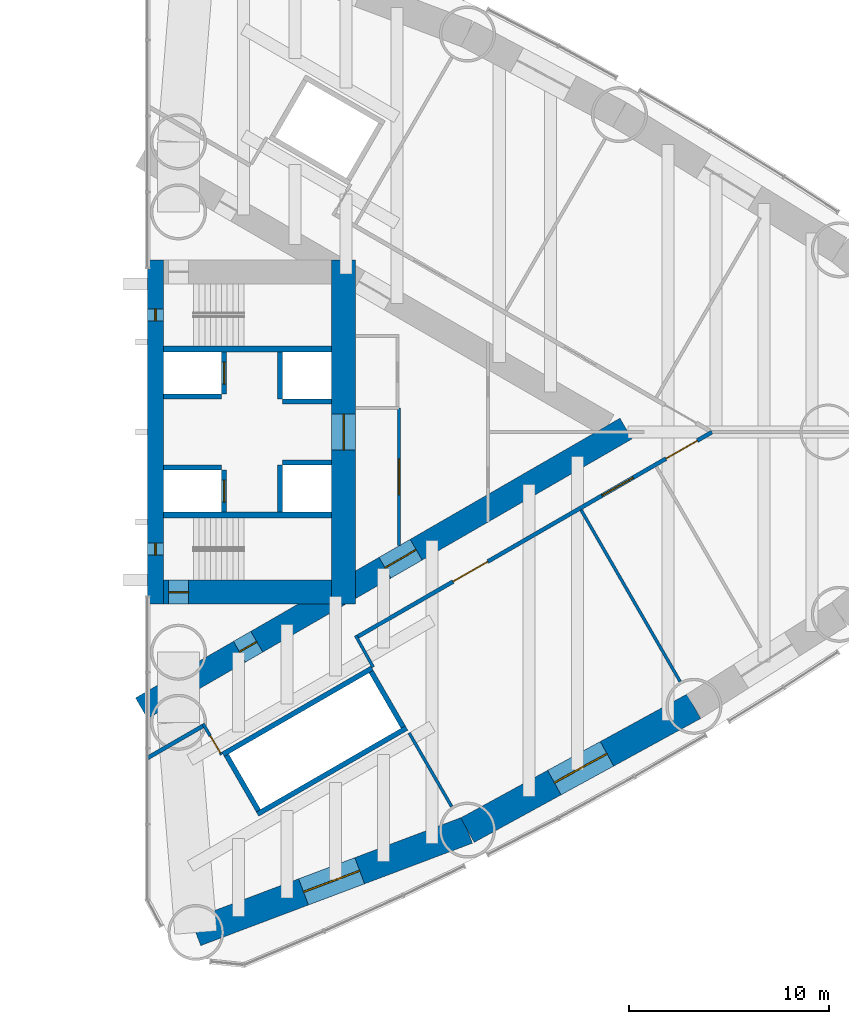
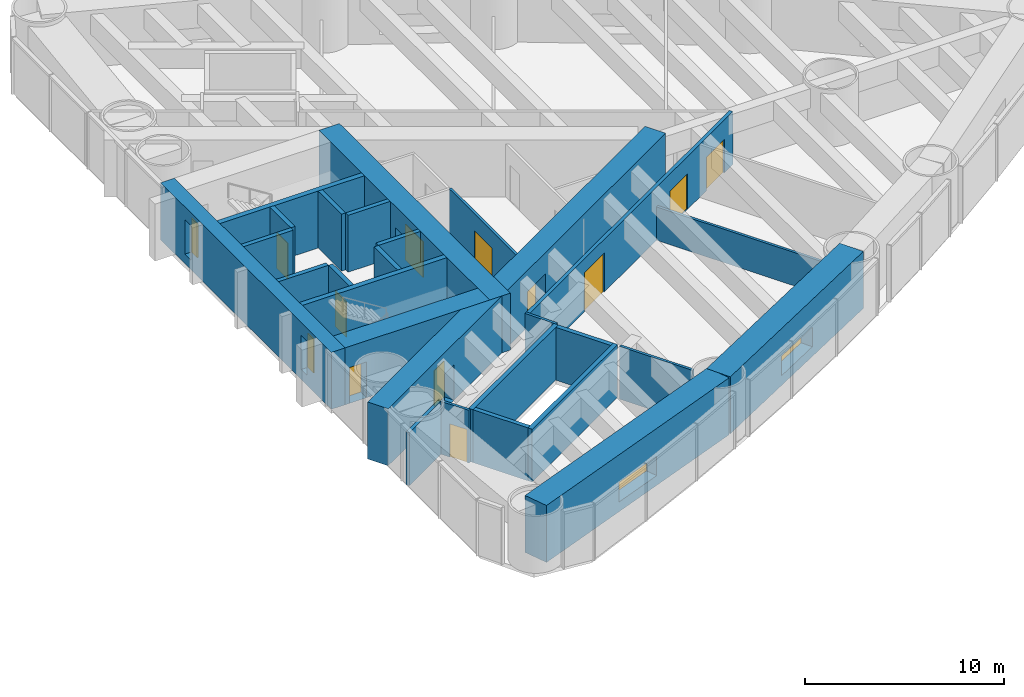
# One storey, part 17 of 20: 27 walls, 11 doors, 4 windows, 15 openings.
"""IFC4 building model written with IfcOpenShell, lengths in metres."""

from ifc_helpers import new_model, si_unit, direction, frame, frame_2d, origin, place, context, subcontext, project, spatial, rectangle, extrude, material, layer, layer_set, type_object, element, fill, save


model = new_model("IFC4")

# Units and contexts
model_context = context("Model", 3, precision=1e-05, world=origin(), true_north=direction((0.0, 1.0)))
body_context = subcontext(model_context, "Body", "Model", "MODEL_VIEW")
ifc_project = project(units=[si_unit("LENGTHUNIT", "METRE"), si_unit("AREAUNIT", "SQUARE_METRE"), si_unit("VOLUMEUNIT", "CUBIC_METRE"), si_unit("PLANEANGLEUNIT", "RADIAN"), si_unit("MASSUNIT", "GRAM", prefix="KILO")], contexts=[model_context])

# Site, building, storey
site_placement = place(None, origin())
site = spatial("IfcSite", under=ifc_project, at=site_placement, CompositionType="ELEMENT")
building_placement = place(site_placement, origin())
building = spatial("IfcBuilding", under=site, at=building_placement, Name="Lancet Gate Hotel", CompositionType="ELEMENT")
storey_placement = place(building_placement, frame((0.0, 0.0, 77.5)))
storey = spatial("IfcBuildingStorey", under=building, at=storey_placement, Name="L20", CompositionType="ELEMENT", Elevation=77.5)

# Wall, opening, window
ifc_material_1 = material(Name="Concrete C80/95", Category="concrete")
ifc_layer_1 = layer(ifc_material_1, 1.39990234375)
ifc_layer_set_1 = layer_set([ifc_layer_1], Name="Belt wall 1400")
wall_type_1 = type_object("IfcWallType", Name="Belt wall 1400", PredefinedType="SHEAR", material=ifc_layer_set_1)
wall_1_placement = place(storey_placement, frame((29.9111328125, -25.00244140625, 0.0), z_axis=(0.0, 0.0, 1.0), x_axis=(0.935736448066, 0.352700013836, 0.0)))
wall_1 = element("IfcWall", 1, at=wall_1_placement, inside=storey, type_object=wall_type_1, Name="T2 belt wall CS-OS1 L20", PredefinedType="SHEAR", context=body_context, shape_type="SweptSolid", body=[
    extrude(rectangle(XDim=14.505126953125, YDim=1.39990234375, at=frame_2d((7.25244140625, 0.0))), origin(), (0.0, 0.0, 1.0), 3.5),
])
opening_1_placement = place(wall_1_placement, frame((5.75244140625, 0.0, 0.60009765625)))
opening_1 = element("IfcOpeningElement", 2, at=opening_1_placement, cuts=wall_1, Name="Opening LV1", PredefinedType="OPENING", context=body_context, shape_type="SweptSolid", body=[
    extrude(rectangle(XDim=3.0, YDim=1.199951171875, at=frame_2d((1.5, 0.60009765625))), frame((0.0, 0.7099609375, 0.0), z_axis=(0.0, -1.0, 0.0), x_axis=(1.0, 0.0, 0.0)), (0.0, 0.0, 1.0), 1.419921875),
])
ifc_material_2 = material(Name="Aluminium weather louvre", Category="aluminium")
window_type_1 = type_object("IfcWindowType", Name="Refuge louvre 3000x1200", PartitioningType="SINGLE_PANEL", PredefinedType="WINDOW", material=ifc_material_2)
window_1_placement = place(opening_1_placement, origin())
window_1 = element("IfcWindow", 3, at=window_1_placement, inside=storey, type_object=window_type_1, Name="T2 belt louvre CS-OS1 L20", OverallHeight=1.199951171875, OverallWidth=3.0, PartitioningType="SINGLE_PANEL", PredefinedType="WINDOW", context=body_context, shape_type="SweptSolid", body=[
    extrude(rectangle(XDim=3.0, YDim=1.199951171875, at=frame_2d((1.5, 0.60009765625))), frame((0.0, 0.030029296875, 0.0), z_axis=(0.0, -1.0, 0.0), x_axis=(1.0, 0.0, 0.0)), (0.0, 0.0, 1.0), 0.06005859375),
])
fill(opening_1, window_1)

wall_2_placement = place(storey_placement, frame((43.484130859375, -19.886474609375, 0.0), z_axis=(0.0, 0.0, 1.0), x_axis=(0.87736889738, 0.479816441893, 0.0)))
wall_2 = element("IfcWall", 4, at=wall_2_placement, inside=storey, type_object=wall_type_1, Name="T2 belt wall OS1-OS2 L20", PredefinedType="SHEAR", context=body_context, shape_type="SweptSolid", body=[
    extrude(rectangle(XDim=12.89208984375, YDim=1.39990234375, at=frame_2d((6.446044921875, 0.0))), origin(), (0.0, 0.0, 1.0), 3.5),
])
opening_2_placement = place(wall_2_placement, frame((4.946044921875, 0.0, 0.60009765625)))
opening_2 = element("IfcOpeningElement", 5, at=opening_2_placement, cuts=wall_2, Name="Opening LV1", PredefinedType="OPENING", context=body_context, shape_type="SweptSolid", body=[
    extrude(rectangle(XDim=3.0, YDim=1.199951171875, at=frame_2d((1.5, 0.60009765625))), frame((0.0, 0.7099609375, 0.0), z_axis=(0.0, -1.0, 0.0), x_axis=(1.0, 0.0, 0.0)), (0.0, 0.0, 1.0), 1.419921875),
])
window_2_placement = place(opening_2_placement, origin())
window_2 = element("IfcWindow", 6, at=window_2_placement, inside=storey, type_object=window_type_1, Name="T2 belt louvre OS1-OS2 L20", OverallHeight=1.199951171875, OverallWidth=3.0, PartitioningType="SINGLE_PANEL", PredefinedType="WINDOW", context=body_context, shape_type="SweptSolid", body=[
    extrude(rectangle(XDim=3.0, YDim=1.199951171875, at=frame_2d((1.5, 0.60009765625))), frame((0.0, 0.030029296875, 0.0), z_axis=(0.0, -1.0, 0.0), x_axis=(1.0, 0.0, 0.0)), (0.0, 0.0, 1.0), 0.06005859375),
])
fill(opening_2, window_2)

# Wall, openings, doors
ifc_material_3 = material(Name="Concrete C70/85", Category="concrete")
ifc_layer_2 = layer(ifc_material_3, 1.199951171875)
ifc_layer_set_2 = layer_set([ifc_layer_2], Name="Buttress wall 1200")
wall_type_2 = type_object("IfcWallType", Name="Buttress wall 1200", PredefinedType="SHEAR", material=ifc_layer_set_2)
wall_3_placement = place(storey_placement, frame((27.199951171875, -13.800048828125, 0.0), z_axis=(0.0, 0.0, 1.0), x_axis=(0.866027159892, 0.499996958321, 0.0)))
wall_3 = element("IfcWall", 7, at=wall_3_placement, inside=storey, type_object=wall_type_2, Name="T2 buttress wall S L20", PredefinedType="SHEAR", context=body_context, shape_type="SweptSolid", body=[
    extrude(rectangle(XDim=27.946533203125, YDim=1.199951171875, at=frame_2d((13.97314453125, 0.0))), origin(), (0.0, 0.0, 1.0), 3.5),
])
opening_3_placement = place(wall_3_placement, frame((5.64990234375, 0.0, 0.0)))
opening_3 = element("IfcOpeningElement", 8, at=opening_3_placement, cuts=wall_3, Name="Opening T2-L20-LS", PredefinedType="OPENING", context=body_context, shape_type="SweptSolid", body=[
    extrude(rectangle(XDim=1.0, YDim=2.199951171875, at=frame_2d((0.5, 1.10009765625))), frame((0.0, 0.60986328125, 0.0), z_axis=(0.0, -1.0, 0.0), x_axis=(1.0, 0.0, 0.0)), (0.0, 0.0, 1.0), 1.219970703125),
])
opening_4_placement = place(wall_3_placement, frame((14.044921875, 0.0, 0.0)))
opening_4 = element("IfcOpeningElement", 9, at=opening_4_placement, cuts=wall_3, Name="Opening T2-L20-LHS", PredefinedType="OPENING", context=body_context, shape_type="SweptSolid", body=[
    extrude(rectangle(XDim=1.800048828125, YDim=2.199951171875, at=frame_2d((0.89990234375, 1.10009765625))), frame((0.0, 0.60986328125, 0.0), z_axis=(0.0, -1.0, 0.0), x_axis=(1.0, 0.0, 0.0)), (0.0, 0.0, 1.0), 1.219970703125),
])
ifc_material_4 = material(Name="Timber door set", Category="wood")
door_type_1 = type_object("IfcDoorType", Name="Lobby double door 1800", OperationType="DOUBLE_DOOR_SINGLE_SWING", PredefinedType="DOOR", material=ifc_material_4)
door_1_placement = place(opening_4_placement, origin())
door_1 = element("IfcDoor", 10, at=door_1_placement, inside=storey, type_object=door_type_1, Name="T2-L20-LHS", OperationType="DOUBLE_DOOR_SINGLE_SWING", OverallHeight=2.199951171875, OverallWidth=1.800048828125, PredefinedType="DOOR", context=body_context, shape_type="SweptSolid", body=[
    extrude(rectangle(XDim=1.800048828125, YDim=2.199951171875, at=frame_2d((0.89990234375, 1.10009765625))), frame((0.0, 0.02490234375, 0.0), z_axis=(0.0, -1.0, 0.0), x_axis=(1.0, 0.0, 0.0)), (0.0, 0.0, 1.0), 0.050048828125),
])
fill(opening_4, door_1)
ifc_material_5 = material(Name="Timber door set", Category="wood")
door_type_2 = type_object("IfcDoorType", Name="Stair lobby door 1000", OperationType="SINGLE_SWING_LEFT", PredefinedType="DOOR", material=ifc_material_5)
door_2_placement = place(opening_3_placement, origin())
door_2 = element("IfcDoor", 11, at=door_2_placement, inside=storey, type_object=door_type_2, Name="T2-L20-LS", OperationType="SINGLE_SWING_LEFT", OverallHeight=2.199951171875, OverallWidth=1.0, PredefinedType="DOOR", context=body_context, shape_type="SweptSolid", body=[
    extrude(rectangle(XDim=1.0, YDim=2.199951171875, at=frame_2d((0.5, 1.10009765625))), frame((0.0, 0.02490234375, 0.0), z_axis=(0.0, -1.0, 0.0), x_axis=(1.0, 0.0, 0.0)), (0.0, 0.0, 1.0), 0.050048828125),
])
fill(opening_3, door_2)

# Wall, opening, door
ifc_material_6 = material(Name="Concrete C70/85", Category="concrete")
ifc_layer_3 = layer(ifc_material_6, 1.199951171875)
ifc_layer_set_3 = layer_set([ifc_layer_3], Name="Core wall 1200")
wall_type_3 = type_object("IfcWallType", Name="Core wall 1200", PredefinedType="SHEAR", material=ifc_layer_set_3)
wall_4_placement = place(storey_placement, frame((37.300048828125, -8.60009765625, 0.0), z_axis=(0.0, 0.0, 1.0), x_axis=(0.0, 1.0, 0.0)))
wall_4 = element("IfcWall", 12, at=wall_4_placement, inside=storey, type_object=wall_type_3, Name="T2 core wall back L20", PredefinedType="SHEAR", context=body_context, shape_type="SweptSolid", body=[
    extrude(rectangle(XDim=17.2001953125, YDim=1.199951171875, at=frame_2d((8.60009765625, 0.0))), origin(), (0.0, 0.0, 1.0), 3.5),
])
opening_5_placement = place(wall_4_placement, frame((7.699951171875, 0.0, 0.0)))
opening_5 = element("IfcOpeningElement", 13, at=opening_5_placement, cuts=wall_4, Name="Opening T2-L20-LL", PredefinedType="OPENING", context=body_context, shape_type="SweptSolid", body=[
    extrude(rectangle(XDim=1.800048828125, YDim=2.199951171875, at=frame_2d((0.89990234375, 1.10009765625))), frame((0.0, 0.60986328125, 0.0), z_axis=(0.0, -1.0, 0.0), x_axis=(1.0, 0.0, 0.0)), (0.0, 0.0, 1.0), 1.219970703125),
])
door_3_placement = place(opening_5_placement, origin())
door_3 = element("IfcDoor", 14, at=door_3_placement, inside=storey, type_object=door_type_1, Name="T2-L20-LL", OperationType="DOUBLE_DOOR_SINGLE_SWING", OverallHeight=2.199951171875, OverallWidth=1.800048828125, PredefinedType="DOOR", context=body_context, shape_type="SweptSolid", body=[
    extrude(rectangle(XDim=1.800048828125, YDim=2.199951171875, at=frame_2d((0.89990234375, 1.10009765625))), frame((0.0, 0.02490234375, 0.0), z_axis=(0.0, -1.0, 0.0), x_axis=(1.0, 0.0, 0.0)), (0.0, 0.0, 1.0), 0.050048828125),
])
fill(opening_5, door_3)

wall_5_placement = place(storey_placement, frame((28.300048828125, -8.0, 0.0), z_axis=(0.0, 0.0, 1.0), x_axis=(1.0, 0.0, 0.0)))
wall_5 = element("IfcWall", 15, at=wall_5_placement, inside=storey, type_object=wall_type_3, Name="T2 core wall side-S L20", PredefinedType="SHEAR", context=body_context, shape_type="SweptSolid", body=[
    extrude(rectangle(XDim=8.39990234375, YDim=1.199951171875, at=frame_2d((4.199951171875, 0.0))), origin(), (0.0, 0.0, 1.0), 3.5),
])
opening_6_placement = place(wall_5_placement, frame((0.25, 0.0, 0.0)))
opening_6 = element("IfcOpeningElement", 16, at=opening_6_placement, cuts=wall_5, Name="Opening T2-L20-ST1", PredefinedType="OPENING", context=body_context, shape_type="SweptSolid", body=[
    extrude(rectangle(XDim=1.0, YDim=2.199951171875, at=frame_2d((0.5, 1.10009765625))), frame((0.0, 0.60986328125, 0.0), z_axis=(0.0, -1.0, 0.0), x_axis=(1.0, 0.0, 0.0)), (0.0, 0.0, 1.0), 1.219970703125),
])
ifc_material_7 = material(Name="Timber door set", Category="wood")
door_type_3 = type_object("IfcDoorType", Name="Stair door 1000", OperationType="SINGLE_SWING_RIGHT", PredefinedType="DOOR", material=ifc_material_7)
door_4_placement = place(opening_6_placement, origin())
door_4 = element("IfcDoor", 17, at=door_4_placement, inside=storey, type_object=door_type_3, Name="T2-L20-ST1", OperationType="SINGLE_SWING_RIGHT", OverallHeight=2.199951171875, OverallWidth=1.0, PredefinedType="DOOR", context=body_context, shape_type="SweptSolid", body=[
    extrude(rectangle(XDim=1.0, YDim=2.199951171875, at=frame_2d((0.5, 1.10009765625))), frame((0.0, 0.02490234375, 0.0), z_axis=(0.0, -1.0, 0.0), x_axis=(1.0, 0.0, 0.0)), (0.0, 0.0, 1.0), 0.050048828125),
])
fill(opening_6, door_4)

# Wall, openings, windows
ifc_material_8 = material(Name="Concrete C70/85", Category="concrete")
ifc_layer_4 = layer(ifc_material_8, 0.800048828125)
ifc_layer_set_4 = layer_set([ifc_layer_4], Name="Core wall 800")
wall_type_4 = type_object("IfcWallType", Name="Core wall 800", PredefinedType="SHEAR", material=ifc_layer_set_4)
wall_6_placement = place(storey_placement, frame((27.89990234375, -8.60009765625, 0.0), z_axis=(0.0, 0.0, 1.0), x_axis=(0.0, 1.0, 0.0)))
wall_6 = element("IfcWall", 18, at=wall_6_placement, inside=storey, type_object=wall_type_4, Name="T2 core wall front L20", PredefinedType="SHEAR", context=body_context, shape_type="SweptSolid", body=[
    extrude(rectangle(XDim=17.2001953125, YDim=0.800048828125, at=frame_2d((8.60009765625, 0.0))), origin(), (0.0, 0.0, 1.0), 3.5),
])
opening_7_placement = place(wall_6_placement, frame((2.449951171875, 0.0, 0.60009765625)))
opening_7 = element("IfcOpeningElement", 19, at=opening_7_placement, cuts=wall_6, Name="Opening LW1", PredefinedType="OPENING", context=body_context, shape_type="SweptSolid", body=[
    extrude(rectangle(XDim=0.60009765625, YDim=2.10009765625, at=frame_2d((0.300048828125, 1.050048828125))), frame((0.0, 0.409912109375, 0.0), z_axis=(0.0, -1.0, 0.0), x_axis=(1.0, 0.0, 0.0)), (0.0, 0.0, 1.0), 0.820068359375),
])
opening_8_placement = place(wall_6_placement, frame((14.14990234375, 0.0, 0.60009765625)))
opening_8 = element("IfcOpeningElement", 20, at=opening_8_placement, cuts=wall_6, Name="Opening LW1", PredefinedType="OPENING", context=body_context, shape_type="SweptSolid", body=[
    extrude(rectangle(XDim=0.60009765625, YDim=2.10009765625, at=frame_2d((0.300048828125, 1.050048828125))), frame((0.0, 0.409912109375, 0.0), z_axis=(0.0, -1.0, 0.0), x_axis=(1.0, 0.0, 0.0)), (0.0, 0.0, 1.0), 0.820068359375),
])
ifc_material_9 = material(Name="Fire-resisting glazed steel window", Category="steel")
window_type_2 = type_object("IfcWindowType", Name="Lancet window 600x2100", PartitioningType="SINGLE_PANEL", PredefinedType="WINDOW", material=ifc_material_9)
window_3_placement = place(opening_7_placement, origin())
window_3 = element("IfcWindow", 21, at=window_3_placement, inside=storey, type_object=window_type_2, Name="T2 stair window S L20", OverallHeight=2.10009765625, OverallWidth=0.60009765625, PartitioningType="SINGLE_PANEL", PredefinedType="WINDOW", context=body_context, shape_type="SweptSolid", body=[
    extrude(rectangle(XDim=0.60009765625, YDim=2.10009765625, at=frame_2d((0.300048828125, 1.050048828125))), frame((0.0, 0.030029296875, 0.0), z_axis=(0.0, -1.0, 0.0), x_axis=(1.0, 0.0, 0.0)), (0.0, 0.0, 1.0), 0.06005859375),
])
fill(opening_7, window_3)
window_4_placement = place(opening_8_placement, origin())
window_4 = element("IfcWindow", 22, at=window_4_placement, inside=storey, type_object=window_type_2, Name="T2 stair window N L20", OverallHeight=2.10009765625, OverallWidth=0.60009765625, PartitioningType="SINGLE_PANEL", PredefinedType="WINDOW", context=body_context, shape_type="SweptSolid", body=[
    extrude(rectangle(XDim=0.60009765625, YDim=2.10009765625, at=frame_2d((0.300048828125, 1.050048828125))), frame((0.0, 0.030029296875, 0.0), z_axis=(0.0, -1.0, 0.0), x_axis=(1.0, 0.0, 0.0)), (0.0, 0.0, 1.0), 0.06005859375),
])
fill(opening_8, window_4)

# Wall
ifc_material_10 = material(Name="Gypsum board partition")
ifc_layer_5 = layer(ifc_material_10, 0.199951171875)
ifc_layer_set_5 = layer_set([ifc_layer_5], Name="Corridor wall 200")
wall_type_5 = type_object("IfcWallType", Name="Corridor wall 200", PredefinedType="PARTITIONING", material=ifc_layer_set_5)
wall_7_placement = place(storey_placement, frame((27.5, -16.282470703125, 0.0), z_axis=(0.0, 0.0, 1.0), x_axis=(0.866039938485, 0.499974824316, 0.0)))
element("IfcWall", 23, at=wall_7_placement, inside=storey, type_object=wall_type_5, Name="T2 corridor wall 200 L20", PredefinedType="PARTITIONING", context=body_context, shape_type="SweptSolid", body=[
    extrude(rectangle(XDim=3.238037109375, YDim=0.199951171875, at=frame_2d((1.619140625, 0.0))), origin(), (0.0, 0.0, 1.0), 3.25),
])

# Wall, openings, doors
wall_8_placement = place(storey_placement, frame((37.9599609375, -10.243408203125, 0.0), z_axis=(0.0, 0.0, 1.0), x_axis=(0.866026429433, 0.499998223521, 0.0)))
wall_8 = element("IfcWall", 24, at=wall_8_placement, inside=storey, type_object=wall_type_5, Name="T2 corridor wall 200 L20", PredefinedType="PARTITIONING", context=body_context, shape_type="SweptSolid", body=[
    extrude(rectangle(XDim=20.48681640625, YDim=0.199951171875, at=frame_2d((10.243408203125, 0.0))), origin(), (0.0, 0.0, 1.0), 3.25),
])
opening_9_placement = place(wall_8_placement, frame((14.142333984375, 0.0, 0.0)))
opening_9 = element("IfcOpeningElement", 25, at=opening_9_placement, cuts=wall_8, Name="Opening T2-L20-A03", PredefinedType="OPENING", context=body_context, shape_type="SweptSolid", body=[
    extrude(rectangle(XDim=1.800048828125, YDim=2.199951171875, at=frame_2d((0.89990234375, 1.10009765625))), frame((0.0, 0.10986328125, 0.0), z_axis=(0.0, -1.0, 0.0), x_axis=(1.0, 0.0, 0.0)), (0.0, 0.0, 1.0), 0.219970703125),
])
opening_10_placement = place(wall_8_placement, frame((17.836181640625, 0.0, 0.0)))
opening_10 = element("IfcOpeningElement", 26, at=opening_10_placement, cuts=wall_8, Name="Opening T2-L20-A04", PredefinedType="OPENING", context=body_context, shape_type="SweptSolid", body=[
    extrude(rectangle(XDim=1.800048828125, YDim=2.0400390625, at=frame_2d((0.89990234375, 1.02001953125))), frame((0.0, 0.10986328125, 0.0), z_axis=(0.0, -1.0, 0.0), x_axis=(1.0, 0.0, 0.0)), (0.0, 0.0, 1.0), 0.219970703125),
])
opening_11_placement = place(wall_8_placement, frame((5.549560546875, 0.0, 0.0)))
opening_11 = element("IfcOpeningElement", 27, at=opening_11_placement, cuts=wall_8, Name="Opening T2-L20-A02", PredefinedType="OPENING", context=body_context, shape_type="SweptSolid", body=[
    extrude(rectangle(XDim=2.0, YDim=2.39990234375, at=frame_2d((1.0, 1.199951171875))), frame((0.0, 0.10986328125, 0.0), z_axis=(0.0, -1.0, 0.0), x_axis=(1.0, 0.0, 0.0)), (0.0, 0.0, 1.0), 0.219970703125),
])
ifc_material_11 = material(Name="Timber door set", Category="wood")
door_type_4 = type_object("IfcDoorType", Name="Double door 1800", OperationType="DOUBLE_DOOR_SINGLE_SWING", PredefinedType="DOOR", material=ifc_material_11)
door_5_placement = place(opening_9_placement, origin())
door_5 = element("IfcDoor", 28, at=door_5_placement, inside=storey, type_object=door_type_4, Name="T2-L20-A03", OperationType="DOUBLE_DOOR_SINGLE_SWING", OverallHeight=2.199951171875, OverallWidth=1.800048828125, PredefinedType="DOOR", context=body_context, shape_type="SweptSolid", body=[
    extrude(rectangle(XDim=1.800048828125, YDim=2.199951171875, at=frame_2d((0.89990234375, 1.10009765625))), frame((0.0, 0.02490234375, 0.0), z_axis=(0.0, -1.0, 0.0), x_axis=(1.0, 0.0, 0.0)), (0.0, 0.0, 1.0), 0.050048828125),
])
fill(opening_9, door_5)
ifc_material_12 = material(Name="Timber door set", Category="wood")
door_type_5 = type_object("IfcDoorType", Name="Double door 1800, 2040 high", OperationType="DOUBLE_DOOR_SINGLE_SWING", PredefinedType="DOOR", material=ifc_material_12)
door_6_placement = place(opening_10_placement, origin())
door_6 = element("IfcDoor", 29, at=door_6_placement, inside=storey, type_object=door_type_5, Name="T2-L20-A04", OperationType="DOUBLE_DOOR_SINGLE_SWING", OverallHeight=2.0400390625, OverallWidth=1.800048828125, PredefinedType="DOOR", context=body_context, shape_type="SweptSolid", body=[
    extrude(rectangle(XDim=1.800048828125, YDim=2.0400390625, at=frame_2d((0.89990234375, 1.02001953125))), frame((0.0, 0.02490234375, 0.0), z_axis=(0.0, -1.0, 0.0), x_axis=(1.0, 0.0, 0.0)), (0.0, 0.0, 1.0), 0.050048828125),
])
fill(opening_10, door_6)
ifc_material_13 = material(Name="Timber door set", Category="wood")
door_type_6 = type_object("IfcDoorType", Name="Plant room double door 2000", OperationType="DOUBLE_DOOR_SINGLE_SWING", PredefinedType="DOOR", material=ifc_material_13)
door_7_placement = place(opening_11_placement, origin())
door_7 = element("IfcDoor", 30, at=door_7_placement, inside=storey, type_object=door_type_6, Name="T2-L20-A02", OperationType="DOUBLE_DOOR_SINGLE_SWING", OverallHeight=2.39990234375, OverallWidth=2.0, PredefinedType="DOOR", context=body_context, shape_type="SweptSolid", body=[
    extrude(rectangle(XDim=2.0, YDim=2.39990234375, at=frame_2d((1.0, 1.199951171875))), frame((0.0, 0.02490234375, 0.0), z_axis=(0.0, -1.0, 0.0), x_axis=(1.0, 0.0, 0.0)), (0.0, 0.0, 1.0), 0.050048828125),
])
fill(opening_11, door_7)

# Walls
ifc_material_14 = material(Name="Gypsum board partition")
ifc_layer_6 = layer(ifc_material_14, 0.25)
ifc_layer_set_6 = layer_set([ifc_layer_6], Name="Lift shaft partition 250")
wall_type_6 = type_object("IfcWallType", Name="Lift shaft partition 250", PredefinedType="PARTITIONING", material=ifc_layer_set_6)
for number, where, z_axis, x_axis, name in (
    (31, (31.2705078125, -16.09716796875, 0.0), (0.0, 0.0, 1.0), (0.86604045752, 0.499973925258, 0.0), "T2 lift shaft wall LR L20"),
    (32, (32.99560546875, -19.085693359375, 0.0), (0.0, 0.0, 1.0), (0.866028165386, 0.499995216735, 0.0), "T2 lift shaft wall LR L20"),
):
    element("IfcWall", number, at=place(storey_placement, frame(where, z_axis=z_axis, x_axis=x_axis)), inside=storey, type_object=wall_type_6, Name=name, PredefinedType="PARTITIONING", context=body_context, shape_type="SweptSolid", body=[
        extrude(rectangle(XDim=8.60009765625, YDim=0.25, at=frame_2d((4.300048828125, 0.0))), origin(), (0.0, 0.0, 1.0), 3.25),
    ])
for number, where, z_axis, x_axis, name in (
    (33, (31.441162109375, -16.14306640625, 0.0), (0.0, 0.0, 1.0), (0.499929347863, -0.866066190972, 0.0), "T2 lift shaft wall LR L20"),
    (34, (38.672607421875, -11.968017578125, 0.0), (0.0, 0.0, 1.0), (0.499929347863, -0.866066190972, 0.0), "T2 lift shaft wall LR L20"),
):
    element("IfcWall", number, at=place(storey_placement, frame(where, z_axis=z_axis, x_axis=x_axis)), inside=storey, type_object=wall_type_6, Name=name, PredefinedType="PARTITIONING", context=body_context, shape_type="SweptSolid", body=[
        extrude(rectangle(XDim=3.20068359375, YDim=0.25, at=frame_2d((1.600341796875, 0.0))), origin(), (0.0, 0.0, 1.0), 3.25),
    ])

# Wall, opening, door
ifc_material_15 = material(Name="Concrete C50/60", Category="concrete")
ifc_layer_7 = layer(ifc_material_15, 0.25)
ifc_layer_set_7 = layer_set([ifc_layer_7], Name="Lift shaft wall 250")
wall_type_7 = type_object("IfcWallType", Name="Lift shaft wall 250", PredefinedType="SHEAR", material=ifc_layer_set_7)
wall_9_placement = place(storey_placement, frame((31.324951171875, -4.0, 0.0), z_axis=(0.0, 0.0, 1.0), x_axis=(0.0, 1.0, 0.0)))
wall_9 = element("IfcWall", 35, at=wall_9_placement, inside=storey, type_object=wall_type_7, Name="T2 core wall row1-S L20", PredefinedType="SHEAR", context=body_context, shape_type="SweptSolid", body=[
    extrude(rectangle(XDim=2.10009765625, YDim=0.25, at=frame_2d((1.050048828125, 0.0))), origin(), (0.0, 0.0, 1.0), 3.5),
])
opening_12_placement = place(wall_9_placement, frame((0.5, 0.0, 0.0)))
opening_12 = element("IfcOpeningElement", 36, at=opening_12_placement, cuts=wall_9, Name="Opening T2-SL1-L20", PredefinedType="OPENING", context=body_context, shape_type="SweptSolid", body=[
    extrude(rectangle(XDim=1.10009765625, YDim=2.199951171875, at=frame_2d((0.550048828125, 1.10009765625))), frame((0.0, 0.135009765625, 0.0), z_axis=(0.0, -1.0, 0.0), x_axis=(1.0, 0.0, 0.0)), (0.0, 0.0, 1.0), 0.27001953125),
])
ifc_material_16 = material(Name="Timber door set", Category="wood")
door_type_7 = type_object("IfcDoorType", Name="Service lift landing door 1100", OperationType="SLIDING_TO_LEFT", PredefinedType="USERDEFINED", material=ifc_material_16)
door_8_placement = place(opening_12_placement, origin())
door_8 = element("IfcDoor", 37, at=door_8_placement, inside=storey, type_object=door_type_7, Name="T2-SL1-L20", ObjectType="LIFT LANDING DOOR", OperationType="SLIDING_TO_LEFT", OverallHeight=2.199951171875, OverallWidth=1.10009765625, PredefinedType="USERDEFINED", context=body_context, shape_type="SweptSolid", body=[
    extrude(rectangle(XDim=1.10009765625, YDim=2.199951171875, at=frame_2d((0.550048828125, 1.10009765625))), frame((0.0, 0.02490234375, 0.0), z_axis=(0.0, -1.0, 0.0), x_axis=(1.0, 0.0, 0.0)), (0.0, 0.0, 1.0), 0.050048828125),
])
fill(opening_12, door_8)

# Walls
wall_10_placement = place(storey_placement, frame((34.125, -4.0, 0.0), z_axis=(0.0, 0.0, 1.0), x_axis=(0.0, 1.0, 0.0)))
element("IfcWall", 38, at=wall_10_placement, inside=storey, type_object=wall_type_7, Name="T2 core wall row2-S L20", PredefinedType="SHEAR", context=body_context, shape_type="SweptSolid", body=[
    extrude(rectangle(XDim=2.35009765625, YDim=0.25, at=frame_2d((1.175048828125, 0.0))), origin(), (0.0, 0.0, 1.0), 3.5),
])
wall_11_placement = place(storey_placement, frame((28.300048828125, -1.77490234375, 0.0), z_axis=(0.0, 0.0, 1.0), x_axis=(1.0, 0.0, 0.0)))
element("IfcWall", 39, at=wall_11_placement, inside=storey, type_object=wall_type_7, Name="T2 core wall pass1-S L20", PredefinedType="SHEAR", context=body_context, shape_type="SweptSolid", body=[
    extrude(rectangle(XDim=2.89990234375, YDim=0.25, at=frame_2d((1.449951171875, 0.0))), origin(), (0.0, 0.0, 1.0), 3.5),
])
wall_12_placement = place(storey_placement, frame((34.25, -1.52490234375, 0.0), z_axis=(0.0, 0.0, 1.0), x_axis=(1.0, 0.0, 0.0)))
element("IfcWall", 40, at=wall_12_placement, inside=storey, type_object=wall_type_7, Name="T2 core wall pass2-S L20", PredefinedType="SHEAR", context=body_context, shape_type="SweptSolid", body=[
    extrude(rectangle(XDim=2.449951171875, YDim=0.25, at=frame_2d((1.22509765625, 0.0))), origin(), (0.0, 0.0, 1.0), 3.5),
])

# Wall, opening, door
wall_13_placement = place(storey_placement, frame((31.324951171875, 1.89990234375, 0.0), z_axis=(0.0, 0.0, 1.0), x_axis=(0.0, 1.0, 0.0)))
wall_13 = element("IfcWall", 41, at=wall_13_placement, inside=storey, type_object=wall_type_7, Name="T2 core wall row1-N L20", PredefinedType="SHEAR", context=body_context, shape_type="SweptSolid", body=[
    extrude(rectangle(XDim=2.10009765625, YDim=0.25, at=frame_2d((1.050048828125, 0.0))), origin(), (0.0, 0.0, 1.0), 3.5),
])
opening_13_placement = place(wall_13_placement, frame((0.5, 0.0, 0.0)))
opening_13 = element("IfcOpeningElement", 42, at=opening_13_placement, cuts=wall_13, Name="Opening T2-FL2-L20", PredefinedType="OPENING", context=body_context, shape_type="SweptSolid", body=[
    extrude(rectangle(XDim=1.10009765625, YDim=2.199951171875, at=frame_2d((0.550048828125, 1.10009765625))), frame((0.0, 0.135009765625, 0.0), z_axis=(0.0, -1.0, 0.0), x_axis=(1.0, 0.0, 0.0)), (0.0, 0.0, 1.0), 0.27001953125),
])
ifc_material_17 = material(Name="Steel door set", Category="steel")
door_type_8 = type_object("IfcDoorType", Name="Firefighting lift landing door 1100", OperationType="SLIDING_TO_LEFT", PredefinedType="USERDEFINED", material=ifc_material_17)
door_9_placement = place(opening_13_placement, origin())
door_9 = element("IfcDoor", 43, at=door_9_placement, inside=storey, type_object=door_type_8, Name="T2-FL2-L20", ObjectType="LIFT LANDING DOOR", OperationType="SLIDING_TO_LEFT", OverallHeight=2.199951171875, OverallWidth=1.10009765625, PredefinedType="USERDEFINED", context=body_context, shape_type="SweptSolid", body=[
    extrude(rectangle(XDim=1.10009765625, YDim=2.199951171875, at=frame_2d((0.550048828125, 1.10009765625))), frame((0.0, 0.02490234375, 0.0), z_axis=(0.0, -1.0, 0.0), x_axis=(1.0, 0.0, 0.0)), (0.0, 0.0, 1.0), 0.050048828125),
])
fill(opening_13, door_9)

# Walls
wall_14_placement = place(storey_placement, frame((34.125, 1.64990234375, 0.0), z_axis=(0.0, 0.0, 1.0), x_axis=(0.0, 1.0, 0.0)))
element("IfcWall", 44, at=wall_14_placement, inside=storey, type_object=wall_type_7, Name="T2 core wall row2-N L20", PredefinedType="SHEAR", context=body_context, shape_type="SweptSolid", body=[
    extrude(rectangle(XDim=2.35009765625, YDim=0.25, at=frame_2d((1.175048828125, 0.0))), origin(), (0.0, 0.0, 1.0), 3.5),
])
wall_15_placement = place(storey_placement, frame((28.300048828125, 1.77490234375, 0.0), z_axis=(0.0, 0.0, 1.0), x_axis=(1.0, 0.0, 0.0)))
element("IfcWall", 45, at=wall_15_placement, inside=storey, type_object=wall_type_7, Name="T2 core wall pass1-N L20", PredefinedType="SHEAR", context=body_context, shape_type="SweptSolid", body=[
    extrude(rectangle(XDim=2.89990234375, YDim=0.25, at=frame_2d((1.449951171875, 0.0))), origin(), (0.0, 0.0, 1.0), 3.5),
])
wall_16_placement = place(storey_placement, frame((34.25, 1.52490234375, 0.0), z_axis=(0.0, 0.0, 1.0), x_axis=(1.0, 0.0, 0.0)))
element("IfcWall", 46, at=wall_16_placement, inside=storey, type_object=wall_type_7, Name="T2 core wall pass2-N L20", PredefinedType="SHEAR", context=body_context, shape_type="SweptSolid", body=[
    extrude(rectangle(XDim=2.449951171875, YDim=0.25, at=frame_2d((1.22509765625, 0.0))), origin(), (0.0, 0.0, 1.0), 3.5),
])
ifc_material_18 = material(Name="Gypsum board partition")
ifc_layer_8 = layer(ifc_material_18, 0.14990234375)
ifc_layer_set_8 = layer_set([ifc_layer_8], Name="Party wall 150")
wall_type_8 = type_object("IfcWallType", Name="Party wall 150", PredefinedType="PARTITIONING", material=ifc_layer_set_8)
wall_17_placement = place(storey_placement, frame((49.159423828125, -3.892822265625, 0.0), z_axis=(0.0, 0.0, 1.0), x_axis=(0.499998773722, -0.866026111775, 0.0)))
element("IfcWall", 47, at=wall_17_placement, inside=storey, type_object=wall_type_8, Name="T2 party wall 150 L20", PredefinedType="PARTITIONING", context=body_context, shape_type="SweptSolid", body=[
    extrude(rectangle(XDim=9.8916015625, YDim=0.14990234375, at=frame_2d((4.94580078125, 0.0))), origin(), (0.0, 0.0, 1.0), 2.050048828125),
])
wall_18_placement = place(storey_placement, frame((40.5703125, -15.030029296875, 0.0), z_axis=(0.0, 0.0, 1.0), x_axis=(0.500012993597, -0.866017901798, 0.0)))
element("IfcWall", 48, at=wall_18_placement, inside=storey, type_object=wall_type_8, Name="T2 party wall 150 L20", PredefinedType="PARTITIONING", context=body_context, shape_type="SweptSolid", body=[
    extrude(rectangle(XDim=4.2431640625, YDim=0.14990234375, at=frame_2d((2.12158203125, 0.0))), origin(), (0.0, 0.0, 1.0), 3.25),
])

# Wall, opening, door
ifc_material_19 = material(Name="Gypsum board partition")
ifc_layer_9 = layer(ifc_material_19, 0.14990234375)
ifc_layer_set_9 = layer_set([ifc_layer_9], Name="Service room wall 150")
wall_type_9 = type_object("IfcWallType", Name="Service room wall 150", PredefinedType="PARTITIONING", material=ifc_layer_set_9)
wall_19_placement = place(storey_placement, frame((30.26708984375, -14.5693359375, 0.0), z_axis=(0.0, 0.0, 1.0), x_axis=(0.514336634837, -0.857588377991, 0.0)))
wall_19 = element("IfcWall", 49, at=wall_19_placement, inside=storey, type_object=wall_type_9, Name="T2 service room wall 150 L20", PredefinedType="PARTITIONING", context=body_context, shape_type="SweptSolid", body=[
    extrude(rectangle(XDim=1.80517578125, YDim=0.14990234375, at=frame_2d((0.902587890625, 0.0))), origin(), (0.0, 0.0, 1.0), 3.25),
])
opening_14_placement = place(wall_19_placement, frame((0.702880859375, 0.0, 0.0)))
opening_14 = element("IfcOpeningElement", 50, at=opening_14_placement, cuts=wall_19, Name="Opening T2-L20-A01", PredefinedType="OPENING", context=body_context, shape_type="SweptSolid", body=[
    extrude(rectangle(XDim=1.0, YDim=2.0400390625, at=frame_2d((0.5, 1.02001953125))), frame((0.0, 0.0849609375, 0.0), z_axis=(0.0, -1.0, 0.0), x_axis=(1.0, 0.0, 0.0)), (0.0, 0.0, 1.0), 0.169921875),
])
ifc_material_20 = material(Name="Timber door set", Category="wood")
door_type_9 = type_object("IfcDoorType", Name="Service door 1000, 2040 high", OperationType="SINGLE_SWING_LEFT", PredefinedType="DOOR", material=ifc_material_20)
door_10_placement = place(opening_14_placement, origin())
door_10 = element("IfcDoor", 51, at=door_10_placement, inside=storey, type_object=door_type_9, Name="T2-L20-A01", OperationType="SINGLE_SWING_LEFT", OverallHeight=2.0400390625, OverallWidth=1.0, PredefinedType="DOOR", context=body_context, shape_type="SweptSolid", body=[
    extrude(rectangle(XDim=1.0, YDim=2.0400390625, at=frame_2d((0.5, 1.02001953125))), frame((0.0, 0.02490234375, 0.0), z_axis=(0.0, -1.0, 0.0), x_axis=(1.0, 0.0, 0.0)), (0.0, 0.0, 1.0), 0.050048828125),
])
fill(opening_14, door_10)

# Wall
wall_20_placement = place(storey_placement, frame((38.7734375, -11.742431640625, 0.0), z_axis=(0.0, 0.0, 1.0), x_axis=(-0.485528096672, 0.8742210632, 0.0)))
element("IfcWall", 52, at=wall_20_placement, inside=storey, type_object=wall_type_9, Name="T2 service room wall 150 L20", PredefinedType="PARTITIONING", context=body_context, shape_type="SweptSolid", body=[
    extrude(rectangle(XDim=1.80517578125, YDim=0.14990234375, at=frame_2d((0.902587890625, 0.0))), origin(), (0.0, 0.0, 1.0), 3.25),
])

# Wall, opening, door
wall_21_placement = place(storey_placement, frame((40.074951171875, -5.673828125, 0.0), z_axis=(0.0, 0.0, 1.0), x_axis=(0.0, 1.0, 0.0)))
wall_21 = element("IfcWall", 53, at=wall_21_placement, inside=storey, type_object=wall_type_9, Name="T2 service room wall 150 L20", PredefinedType="PARTITIONING", context=body_context, shape_type="SweptSolid", body=[
    extrude(rectangle(XDim=6.873779296875, YDim=0.14990234375, at=frame_2d((3.43701171875, 0.0))), origin(), (0.0, 0.0, 1.0), 3.25),
])
opening_15_placement = place(wall_21_placement, frame((2.536865234375, 0.0, 0.0)))
opening_15 = element("IfcOpeningElement", 54, at=opening_15_placement, cuts=wall_21, Name="Opening T2-L20-LH", PredefinedType="OPENING", context=body_context, shape_type="SweptSolid", body=[
    extrude(rectangle(XDim=1.800048828125, YDim=2.199951171875, at=frame_2d((0.89990234375, 1.10009765625))), frame((0.0, 0.0849609375, 0.0), z_axis=(0.0, -1.0, 0.0), x_axis=(1.0, 0.0, 0.0)), (0.0, 0.0, 1.0), 0.169921875),
])
door_11_placement = place(opening_15_placement, origin())
door_11 = element("IfcDoor", 55, at=door_11_placement, inside=storey, type_object=door_type_1, Name="T2-L20-LH", OperationType="DOUBLE_DOOR_SINGLE_SWING", OverallHeight=2.199951171875, OverallWidth=1.800048828125, PredefinedType="DOOR", context=body_context, shape_type="SweptSolid", body=[
    extrude(rectangle(XDim=1.800048828125, YDim=2.199951171875, at=frame_2d((0.89990234375, 1.10009765625))), frame((0.0, 0.02490234375, 0.0), z_axis=(0.0, -1.0, 0.0), x_axis=(1.0, 0.0, 0.0)), (0.0, 0.0, 1.0), 0.050048828125),
])
fill(opening_15, door_11)

# Walls
ifc_material_21 = material(Name="Concrete C50/60", Category="concrete")
ifc_layer_10 = layer(ifc_material_21, 0.300048828125)
ifc_layer_set_10 = layer_set([ifc_layer_10], Name="Stair enclosure wall 300")
wall_type_10 = type_object("IfcWallType", Name="Stair enclosure wall 300", PredefinedType="SHEAR", material=ifc_layer_set_10)
for number, where, z_axis, x_axis, name in (
    (56, (28.300048828125, -4.14990234375, 0.0), (0.0, 0.0, 1.0), (1.0, 0.0, 0.0), "T2 core wall stair-S L20"),
    (57, (28.300048828125, 4.14990234375, 0.0), (0.0, 0.0, 1.0), (1.0, 0.0, 0.0), "T2 core wall stair-N L20"),
):
    element("IfcWall", number, at=place(storey_placement, frame(where, z_axis=z_axis, x_axis=x_axis)), inside=storey, type_object=wall_type_10, Name=name, PredefinedType="SHEAR", context=body_context, shape_type="SweptSolid", body=[
        extrude(rectangle(XDim=8.39990234375, YDim=0.300048828125, at=frame_2d((4.199951171875, 0.0))), origin(), (0.0, 0.0, 1.0), 3.5),
    ])

save(model, "model.ifc")
